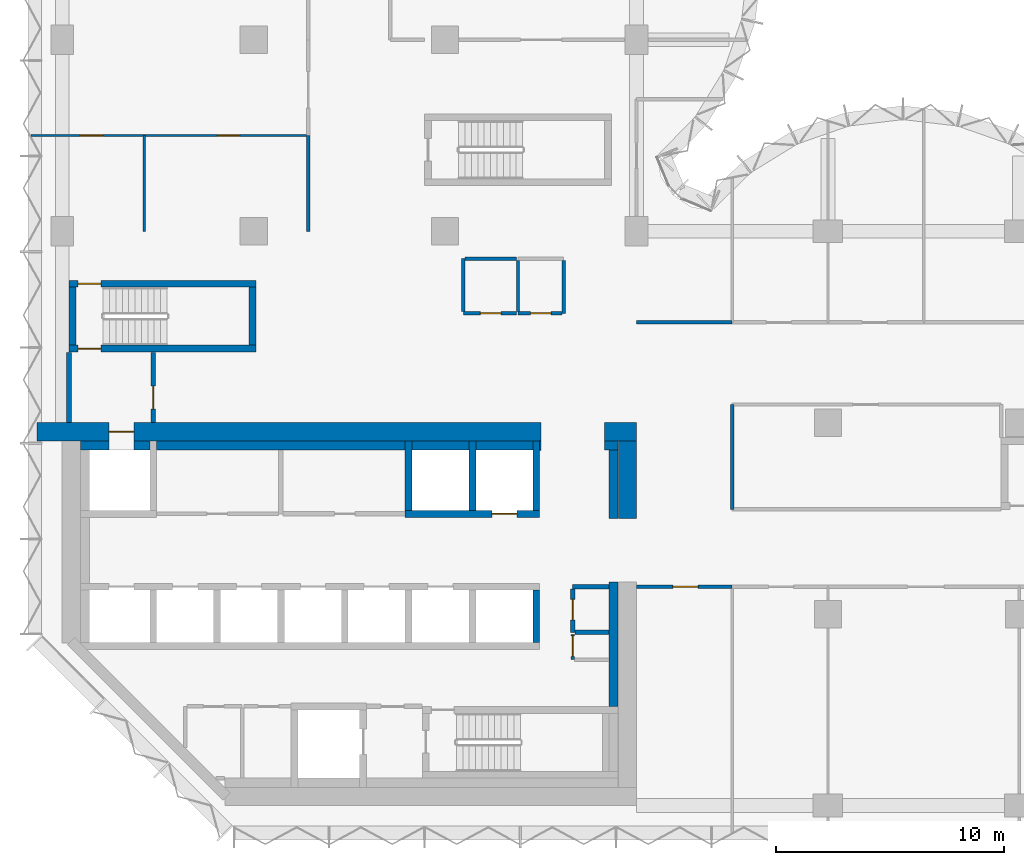
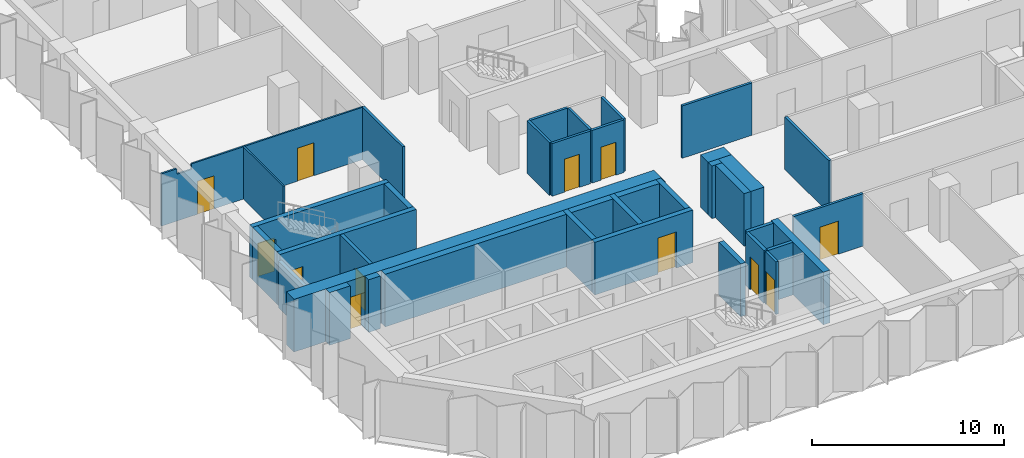
# One storey, part 8 of 13: 40 walls, 12 doors, 12 openings.
"""IFC4 building model written with IfcOpenShell, lengths in metres."""

from ifc_helpers import new_model, si_unit, direction, frame, frame_2d, origin, place, context, subcontext, project, spatial, polyline, rectangle, outline, extrude, material, layer, layer_set, type_object, element, fill, save


model = new_model("IFC4")

# Units and contexts
model_context = context("Model", 3, precision=1e-05, world=origin(), true_north=direction((0.0, 1.0)))
body_context = subcontext(model_context, "Body", "Model", "MODEL_VIEW")
ifc_project = project(units=[si_unit("LENGTHUNIT", "METRE"), si_unit("AREAUNIT", "SQUARE_METRE"), si_unit("VOLUMEUNIT", "CUBIC_METRE"), si_unit("PLANEANGLEUNIT", "RADIAN"), si_unit("MASSUNIT", "GRAM", prefix="KILO")], contexts=[model_context])

# Site, building, storey
site_placement = place(None, origin())
site = spatial("IfcSite", under=ifc_project, at=site_placement, CompositionType="ELEMENT")
building_placement = place(site_placement, origin())
building = spatial("IfcBuilding", under=site, at=building_placement, Name="Brevane Broadcast Tower", CompositionType="ELEMENT")
storey_placement = place(building_placement, frame((0.0, 0.0, 120.5)))
storey = spatial("IfcBuildingStorey", under=building, at=storey_placement, Name="L29", CompositionType="ELEMENT", Elevation=120.5)

# Walls
ifc_material_1 = material(Name="Concrete C32/40", Category="concrete")
ifc_layer_1 = layer(ifc_material_1, 0.39990234375)
ifc_layer_set_1 = layer_set([ifc_layer_1], Name="Core chase wall 400 mm")
wall_type_1 = type_object("IfcWallType", Name="Core chase wall 400 mm", PredefinedType="PARTITIONING", material=ifc_layer_set_1)
wall_1_placement = place(storey_placement, frame((24.199951171875, 12.60009765625, 0.0), z_axis=(0.0, 0.0, 1.0), x_axis=(0.0, 1.0, 0.0)))
element("IfcWall", 1, at=wall_1_placement, inside=storey, type_object=wall_type_1, Name="L29 chase wall LE2", PredefinedType="PARTITIONING", context=body_context, shape_type="SweptSolid", body=[
    extrude(rectangle(XDim=3.0, YDim=0.39990234375, at=frame_2d((1.5, 0.0))), origin(), (0.0, 0.0, 1.0), 3.35009765625),
])
wall_2_placement = place(storey_placement, frame((0.800048828125, 15.800048828125, 0.0), z_axis=(0.0, 0.0, 1.0), x_axis=(1.0, 0.0, 0.0)))
element("IfcWall", 2, at=wall_2_placement, inside=storey, type_object=wall_type_1, Name="L29 chase wall LN0", PredefinedType="PARTITIONING", context=body_context, shape_type="SweptSolid", body=[
    extrude(rectangle(XDim=1.25, YDim=0.39990234375, at=frame_2d((0.625, 0.0))), origin(), (0.0, 0.0, 1.0), 3.35009765625),
])
wall_3_placement = place(storey_placement, frame((23.800048828125, 15.800048828125, 0.0), z_axis=(0.0, 0.0, 1.0), x_axis=(1.0, 0.0, 0.0)))
element("IfcWall", 3, at=wall_3_placement, inside=storey, type_object=wall_type_1, Name="L29 chase wall LN2", PredefinedType="PARTITIONING", context=body_context, shape_type="SweptSolid", body=[
    extrude(rectangle(XDim=0.599853515625, YDim=0.39990234375, at=frame_2d((0.2998046875, 0.0))), origin(), (0.0, 0.0, 1.0), 3.35009765625),
])
wall_4_placement = place(storey_placement, frame((3.14990234375, 15.800048828125, 0.0), z_axis=(0.0, 0.0, 1.0), x_axis=(1.0, 0.0, 0.0)))
element("IfcWall", 4, at=wall_4_placement, inside=storey, type_object=wall_type_1, Name="L29 chase wall LN1-1", PredefinedType="PARTITIONING", context=body_context, shape_type="SweptSolid", body=[
    extrude(rectangle(XDim=0.7001953125, YDim=0.39990234375, at=frame_2d((0.35009765625, 0.0))), origin(), (0.0, 0.0, 1.0), 3.35009765625),
])
wall_5_placement = place(storey_placement, frame((4.14990234375, 15.800048828125, 0.0), z_axis=(0.0, 0.0, 1.0), x_axis=(1.0, 0.0, 0.0)))
element("IfcWall", 5, at=wall_5_placement, inside=storey, type_object=wall_type_1, Name="L29 chase wall LN1-2-1", PredefinedType="PARTITIONING", context=body_context, shape_type="SweptSolid", body=[
    extrude(rectangle(XDim=10.900146484375, YDim=0.39990234375, at=frame_2d((5.4501953125, 0.0))), origin(), (0.0, 0.0, 1.0), 3.35009765625),
])
for number, where, z_axis, x_axis, name in (
    (6, (15.35009765625, 15.800048828125, 0.0), (0.0, 0.0, 1.0), (1.0, 0.0, 0.0), "L29 chase wall LN1-2-2-1"),
    (7, (18.14990234375, 15.800048828125, 0.0), (0.0, 0.0, 1.0), (1.0, 0.0, 0.0), "L29 chase wall LN1-2-2-2-1"),
):
    element("IfcWall", number, at=place(storey_placement, frame(where, z_axis=z_axis, x_axis=x_axis)), inside=storey, type_object=wall_type_1, Name=name, PredefinedType="PARTITIONING", context=body_context, shape_type="SweptSolid", body=[
        extrude(rectangle(XDim=2.5, YDim=0.39990234375, at=frame_2d((1.25, 0.0))), origin(), (0.0, 0.0, 1.0), 3.35009765625),
    ])
wall_6_placement = place(storey_placement, frame((20.949951171875, 15.800048828125, 0.0), z_axis=(0.0, 0.0, 1.0), x_axis=(1.0, 0.0, 0.0)))
element("IfcWall", 8, at=wall_6_placement, inside=storey, type_object=wall_type_1, Name="L29 chase wall LN1-2-2-2-2", PredefinedType="PARTITIONING", context=body_context, shape_type="SweptSolid", body=[
    extrude(rectangle(XDim=0.050048828125, YDim=0.39990234375, at=frame_2d((0.02490234375, 0.0))), origin(), (0.0, 0.0, 1.0), 3.35009765625),
])
wall_7_placement = place(storey_placement, frame((24.199951171875, 4.35009765625, 0.0), z_axis=(0.0, 0.0, 1.0), x_axis=(0.0, 1.0, 0.0)))
element("IfcWall", 9, at=wall_7_placement, inside=storey, type_object=wall_type_1, Name="L29 chase wall LE1-2-2", PredefinedType="PARTITIONING", context=body_context, shape_type="SweptSolid", body=[
    extrude(rectangle(XDim=5.449951171875, YDim=0.39990234375, at=frame_2d((2.72509765625, 0.0))), origin(), (0.0, 0.0, 1.0), 3.35009765625),
])
ifc_material_2 = material(Name="Gypsum board on steel studs", Category="steel")
ifc_layer_2 = layer(ifc_material_2, 0.14990234375)
ifc_layer_set_2 = layer_set([ifc_layer_2], Name="Core fire partition 150 mm")
wall_type_2 = type_object("IfcWallType", Name="Core fire partition 150 mm", PredefinedType="PARTITIONING", material=ifc_layer_set_2)
wall_8_placement = place(storey_placement, frame((22.0, 23.925048828125, 0.0), z_axis=(0.0, 0.0, 1.0), x_axis=(0.0, -1.0, 0.0)))
element("IfcWall", 10, at=wall_8_placement, inside=storey, type_object=wall_type_2, Name="L29 partition wall P16", PredefinedType="PARTITIONING", context=body_context, shape_type="SweptSolid", body=[
    extrude(rectangle(XDim=2.324951171875, YDim=0.14990234375, at=frame_2d((1.16259765625, 0.0))), origin(), (0.0, 0.0, 1.0), 3.35009765625),
])

# Wall, opening, door
wall_9_placement = place(storey_placement, frame((21.925048828125, 21.60009765625, 0.0), z_axis=(0.0, 0.0, 1.0), x_axis=(-1.0, 0.0, 0.0)))
wall_9 = element("IfcWall", 11, at=wall_9_placement, inside=storey, type_object=wall_type_2, Name="L29 partition wall P17", PredefinedType="PARTITIONING", context=body_context, shape_type="SweptSolid", body=[
    extrude(rectangle(XDim=1.925048828125, YDim=0.14990234375, at=frame_2d((0.96240234375, 0.0))), origin(), (0.0, 0.0, 1.0), 3.35009765625),
])
opening_1_placement = place(wall_9_placement, frame((0.47509765625, 0.0, 0.0)))
opening_1 = element("IfcOpeningElement", 12, at=opening_1_placement, cuts=wall_9, Name="Opening L29-K24", PredefinedType="OPENING", context=body_context, shape_type="SweptSolid", body=[
    extrude(rectangle(XDim=0.89990234375, YDim=2.10009765625, at=frame_2d((0.449951171875, 1.050048828125))), frame((0.0, 0.0849609375, 0.0), z_axis=(0.0, -1.0, 0.0), x_axis=(1.0, 0.0, 0.0)), (0.0, 0.0, 1.0), 0.169921875),
])
ifc_material_3 = material(Name="Timber", Category="wood")
door_type_1 = type_object("IfcDoorType", Name="Toilet door 900 x 2100", OperationType="SINGLE_SWING_LEFT", PredefinedType="DOOR", material=ifc_material_3)
door_1_placement = place(opening_1_placement, origin())
door_1 = element("IfcDoor", 13, at=door_1_placement, inside=storey, type_object=door_type_1, Name="Door L29-K24", OperationType="SINGLE_SWING_LEFT", OverallHeight=2.10009765625, OverallWidth=0.89990234375, PredefinedType="DOOR", context=body_context, shape_type="SweptSolid", body=[
    extrude(rectangle(XDim=0.89990234375, YDim=2.10009765625, at=frame_2d((0.449951171875, 1.050048828125))), frame((0.0, 0.02490234375, 0.0), z_axis=(0.0, -1.0, 0.0), x_axis=(1.0, 0.0, 0.0)), (0.0, 0.0, 1.0), 0.050048828125),
])
fill(opening_1, door_1)

# Wall
wall_10_placement = place(storey_placement, frame((20.0, 21.675048828125, 0.0), z_axis=(0.0, 0.0, 1.0), x_axis=(0.0, 1.0, 0.0)))
element("IfcWall", 14, at=wall_10_placement, inside=storey, type_object=wall_type_2, Name="L29 partition wall P18", PredefinedType="PARTITIONING", context=body_context, shape_type="SweptSolid", body=[
    extrude(rectangle(XDim=2.25, YDim=0.14990234375, at=frame_2d((1.125, 0.0))), origin(), (0.0, 0.0, 1.0), 3.35009765625),
])

# Wall, opening, door
wall_11_placement = place(storey_placement, frame((19.925048828125, 21.60009765625, 0.0), z_axis=(0.0, 0.0, 1.0), x_axis=(-1.0, 0.0, 0.0)))
wall_11 = element("IfcWall", 15, at=wall_11_placement, inside=storey, type_object=wall_type_2, Name="L29 partition wall P19", PredefinedType="PARTITIONING", context=body_context, shape_type="SweptSolid", body=[
    extrude(rectangle(XDim=2.324951171875, YDim=0.14990234375, at=frame_2d((1.16259765625, 0.0))), origin(), (0.0, 0.0, 1.0), 3.35009765625),
])
opening_2_placement = place(wall_11_placement, frame((0.675048828125, 0.0, 0.0)))
opening_2 = element("IfcOpeningElement", 16, at=opening_2_placement, cuts=wall_11, Name="Opening L29-K25", PredefinedType="OPENING", context=body_context, shape_type="SweptSolid", body=[
    extrude(rectangle(XDim=0.89990234375, YDim=2.10009765625, at=frame_2d((0.449951171875, 1.050048828125))), frame((0.0, 0.0849609375, 0.0), z_axis=(0.0, -1.0, 0.0), x_axis=(1.0, 0.0, 0.0)), (0.0, 0.0, 1.0), 0.169921875),
])
ifc_material_4 = material(Name="Steel", Category="steel")
door_type_2 = type_object("IfcDoorType", Name="Service room door 900 x 2100", OperationType="SINGLE_SWING_LEFT", PredefinedType="DOOR", material=ifc_material_4)
door_2_placement = place(opening_2_placement, origin())
door_2 = element("IfcDoor", 17, at=door_2_placement, inside=storey, type_object=door_type_2, Name="Door L29-K25", OperationType="SINGLE_SWING_RIGHT", OverallHeight=2.10009765625, OverallWidth=0.89990234375, PredefinedType="DOOR", context=body_context, shape_type="SweptSolid", body=[
    extrude(rectangle(XDim=0.89990234375, YDim=2.10009765625, at=frame_2d((0.449951171875, 1.050048828125))), frame((0.0, 0.02490234375, 0.0), z_axis=(0.0, -1.0, 0.0), x_axis=(1.0, 0.0, 0.0)), (0.0, 0.0, 1.0), 0.050048828125),
])
fill(opening_2, door_2)

# Walls
wall_12_placement = place(storey_placement, frame((17.60009765625, 21.675048828125, 0.0), z_axis=(0.0, 0.0, 1.0), x_axis=(0.0, 1.0, 0.0)))
element("IfcWall", 18, at=wall_12_placement, inside=storey, type_object=wall_type_2, Name="L29 partition wall P20", PredefinedType="PARTITIONING", context=body_context, shape_type="SweptSolid", body=[
    extrude(rectangle(XDim=2.324951171875, YDim=0.14990234375, at=frame_2d((1.16259765625, 0.0))), origin(), (0.0, 0.0, 1.0), 3.35009765625),
])
wall_13_placement = place(storey_placement, frame((17.675048828125, 24.0, 0.0), z_axis=(0.0, 0.0, 1.0), x_axis=(1.0, 0.0, 0.0)))
element("IfcWall", 19, at=wall_13_placement, inside=storey, type_object=wall_type_2, Name="L29 partition wall P21", PredefinedType="PARTITIONING", context=body_context, shape_type="SweptSolid", body=[
    extrude(rectangle(XDim=2.25, YDim=0.14990234375, at=frame_2d((1.125, 0.0))), origin(), (0.0, 0.0, 1.0), 3.35009765625),
])

# Wall, opening, door
wall_14_placement = place(storey_placement, frame((22.39990234375, 7.5, 0.0), z_axis=(0.0, 0.0, 1.0), x_axis=(0.0, -1.0, 0.0)))
wall_14 = element("IfcWall", 20, at=wall_14_placement, inside=storey, type_object=wall_type_2, Name="L29 partition wall P22", PredefinedType="PARTITIONING", context=body_context, shape_type="SweptSolid", body=[
    extrude(rectangle(XDim=1.10009765625, YDim=0.14990234375, at=frame_2d((0.550048828125, 0.0))), origin(), (0.0, 0.0, 1.0), 3.35009765625),
])
opening_3_placement = place(wall_14_placement, frame((0.050048828125, 0.0, 0.0)))
opening_3 = element("IfcOpeningElement", 21, at=opening_3_placement, cuts=wall_14, Name="Opening L29-K19", PredefinedType="OPENING", context=body_context, shape_type="SweptSolid", body=[
    extrude(rectangle(XDim=0.89990234375, YDim=2.10009765625, at=frame_2d((0.449951171875, 1.050048828125))), frame((0.0, 0.0849609375, 0.0), z_axis=(0.0, -1.0, 0.0), x_axis=(1.0, 0.0, 0.0)), (0.0, 0.0, 1.0), 0.169921875),
])
door_3_placement = place(opening_3_placement, origin())
door_3 = element("IfcDoor", 22, at=door_3_placement, inside=storey, type_object=door_type_2, Name="Door L29-K19", OperationType="SINGLE_SWING_RIGHT", OverallHeight=2.10009765625, OverallWidth=0.89990234375, PredefinedType="DOOR", context=body_context, shape_type="SweptSolid", body=[
    extrude(rectangle(XDim=0.89990234375, YDim=2.10009765625, at=frame_2d((0.449951171875, 1.050048828125))), frame((0.0, 0.02490234375, 0.0), z_axis=(0.0, -1.0, 0.0), x_axis=(1.0, 0.0, 0.0)), (0.0, 0.0, 1.0), 0.050048828125),
])
fill(opening_3, door_3)

# Wall
ifc_layer_3 = layer(ifc_material_2, 0.199951171875)
ifc_layer_set_3 = layer_set([ifc_layer_3], Name="Core fire partition 200 mm")
wall_type_3 = type_object("IfcWallType", Name="Core fire partition 200 mm", PredefinedType="PARTITIONING", material=ifc_layer_set_3)
wall_15_placement = place(storey_placement, frame((0.300048828125, 16.81201171875, 0.0), z_axis=(0.0, 0.0, 1.0), x_axis=(0.0, 1.0, 0.0)))
element("IfcWall", 23, at=wall_15_placement, inside=storey, type_object=wall_type_3, Name="L29 partition wall P01", PredefinedType="PARTITIONING", context=body_context, shape_type="SweptSolid", body=[
    extrude(rectangle(XDim=3.075927734375, YDim=0.199951171875, at=frame_2d((1.5380859375, 0.0))), origin(), (0.0, 0.0, 1.0), 2.97998046875),
])

# Wall, opening, door
wall_16_placement = place(storey_placement, frame((4.0, 19.887939453125, 0.0), z_axis=(0.0, 0.0, 1.0), x_axis=(0.0, -1.0, 0.0)))
wall_16 = element("IfcWall", 24, at=wall_16_placement, inside=storey, type_object=wall_type_3, Name="L29 partition wall P02", PredefinedType="PARTITIONING", context=body_context, shape_type="SweptSolid", body=[
    extrude(rectangle(XDim=3.075927734375, YDim=0.199951171875, at=frame_2d((1.5380859375, 0.0))), origin(), (0.0, 0.0, 1.0), 3.35009765625),
])
opening_4_placement = place(wall_16_placement, frame((1.488037109375, 0.0, 0.0)))
opening_4 = element("IfcOpeningElement", 25, at=opening_4_placement, cuts=wall_16, Name="Opening L29-K23", PredefinedType="OPENING", context=body_context, shape_type="SweptSolid", body=[
    extrude(rectangle(XDim=1.0, YDim=2.10009765625, at=frame_2d((0.5, 1.050048828125))), frame((0.0, 0.10986328125, 0.0), z_axis=(0.0, -1.0, 0.0), x_axis=(1.0, 0.0, 0.0)), (0.0, 0.0, 1.0), 0.219970703125),
])
door_type_3 = type_object("IfcDoorType", Name="Stair door 1000 x 2100", OperationType="SINGLE_SWING_LEFT", PredefinedType="DOOR", material=ifc_material_4)
door_4_placement = place(opening_4_placement, origin())
door_4 = element("IfcDoor", 26, at=door_4_placement, inside=storey, type_object=door_type_3, Name="Door L29-K23", OperationType="SINGLE_SWING_RIGHT", OverallHeight=2.10009765625, OverallWidth=1.0, PredefinedType="DOOR", context=body_context, shape_type="SweptSolid", body=[
    extrude(rectangle(XDim=1.0, YDim=2.10009765625, at=frame_2d((0.5, 1.050048828125))), frame((0.0, 0.02490234375, 0.0), z_axis=(0.0, -1.0, 0.0), x_axis=(1.0, 0.0, 0.0)), (0.0, 0.0, 1.0), 0.050048828125),
])
fill(opening_4, door_4)

# Wall
wall_17_placement = place(storey_placement, frame((23.988037109375, 9.60009765625, 0.0), z_axis=(0.0, 0.0, 1.0), x_axis=(-1.0, 0.0, 0.0)))
element("IfcWall", 27, at=wall_17_placement, inside=storey, type_object=wall_type_3, Name="L29 partition wall P06", PredefinedType="PARTITIONING", context=body_context, shape_type="SweptSolid", body=[
    extrude(rectangle(XDim=1.588134765625, YDim=0.199951171875, at=frame_2d((0.7939453125, 0.0))), origin(), (0.0, 0.0, 1.0), 3.35009765625),
])

# Wall, opening, door
wall_18_placement = place(storey_placement, frame((22.39990234375, 9.5, 0.0), z_axis=(0.0, 0.0, 1.0), x_axis=(0.0, -1.0, 0.0)))
wall_18 = element("IfcWall", 28, at=wall_18_placement, inside=storey, type_object=wall_type_3, Name="L29 partition wall P07", PredefinedType="PARTITIONING", context=body_context, shape_type="SweptSolid", body=[
    extrude(rectangle(XDim=1.89990234375, YDim=0.199951171875, at=frame_2d((0.949951171875, 0.0))), origin(), (0.0, 0.0, 1.0), 3.35009765625),
])
opening_5_placement = place(wall_18_placement, frame((0.449951171875, 0.0, 0.0)))
opening_5 = element("IfcOpeningElement", 29, at=opening_5_placement, cuts=wall_18, Name="Opening L29-K20", PredefinedType="OPENING", context=body_context, shape_type="SweptSolid", body=[
    extrude(rectangle(XDim=0.89990234375, YDim=2.10009765625, at=frame_2d((0.449951171875, 1.050048828125))), frame((0.0, 0.10986328125, 0.0), z_axis=(0.0, -1.0, 0.0), x_axis=(1.0, 0.0, 0.0)), (0.0, 0.0, 1.0), 0.219970703125),
])
door_5_placement = place(opening_5_placement, origin())
door_5 = element("IfcDoor", 30, at=door_5_placement, inside=storey, type_object=door_type_2, Name="Door L29-K20", OperationType="SINGLE_SWING_LEFT", OverallHeight=2.10009765625, OverallWidth=0.89990234375, PredefinedType="DOOR", context=body_context, shape_type="SweptSolid", body=[
    extrude(rectangle(XDim=0.89990234375, YDim=2.10009765625, at=frame_2d((0.449951171875, 1.050048828125))), frame((0.0, 0.02490234375, 0.0), z_axis=(0.0, -1.0, 0.0), x_axis=(1.0, 0.0, 0.0)), (0.0, 0.0, 1.0), 0.050048828125),
])
fill(opening_5, door_5)

# Walls
wall_19_placement = place(storey_placement, frame((22.5, 7.60009765625, 0.0), z_axis=(0.0, 0.0, 1.0), x_axis=(1.0, 0.0, 0.0)))
element("IfcWall", 31, at=wall_19_placement, inside=storey, type_object=wall_type_3, Name="L29 partition wall P08", PredefinedType="PARTITIONING", context=body_context, shape_type="SweptSolid", body=[
    extrude(rectangle(XDim=1.488037109375, YDim=0.199951171875, at=frame_2d((0.744140625, 0.0))), origin(), (0.0, 0.0, 1.0), 3.35009765625),
])
ifc_material_5 = material(Name="Concrete C60/75", Category="concrete")
ifc_layer_4 = layer(ifc_material_5, 0.300048828125)
ifc_layer_set_4 = layer_set([ifc_layer_4], Name="Core wall 300 mm C60/75")
wall_type_4 = type_object("IfcWallType", Name="Core wall 300 mm C60/75", PredefinedType="SHEAR", material=ifc_layer_set_4)
wall_20_placement = place(storey_placement, frame((20.800048828125, 7.14990234375, 0.0), z_axis=(0.0, 0.0, 1.0), x_axis=(0.0, 1.0, 0.0)))
element("IfcWall", 32, at=wall_20_placement, inside=storey, type_object=wall_type_4, Name="L29 shaft wall SH-S-P208", PredefinedType="SHEAR", context=body_context, shape_type="SweptSolid", body=[
    extrude(rectangle(XDim=2.300048828125, YDim=0.300048828125, at=frame_2d((1.14990234375, 0.0))), origin(), (0.0, 0.0, 1.0), 3.35009765625),
])

# Wall, opening, door
wall_21_placement = place(storey_placement, frame((15.050048828125, 12.800048828125, 0.0), z_axis=(0.0, 0.0, 1.0), x_axis=(1.0, 0.0, 0.0)))
wall_21 = element("IfcWall", 33, at=wall_21_placement, inside=storey, type_object=wall_type_4, Name="L29 shaft wall SH-N152-front", PredefinedType="SHEAR", context=body_context, shape_type="SweptSolid", body=[
    extrude(rectangle(XDim=5.89990234375, YDim=0.300048828125, at=frame_2d((2.949951171875, 0.0))), origin(), (0.0, 0.0, 1.0), 3.35009765625),
])
opening_6_placement = place(wall_21_placement, frame((3.800048828125, 0.0, 0.0)))
opening_6 = element("IfcOpeningElement", 34, at=opening_6_placement, cuts=wall_21, Name="Opening LD", PredefinedType="OPENING", context=body_context, shape_type="SweptSolid", body=[
    extrude(rectangle(XDim=1.10009765625, YDim=2.300048828125, at=frame_2d((0.550048828125, 1.14990234375))), frame((0.0, 0.159912109375, 0.0), z_axis=(0.0, -1.0, 0.0), x_axis=(1.0, 0.0, 0.0)), (0.0, 0.0, 1.0), 0.320068359375),
])
ifc_material_6 = material(Name="Stainless steel", Category="steel")
door_type_4 = type_object("IfcDoorType", Name="Lift landing door", OperationType="SLIDING_TO_LEFT", PredefinedType="DOOR", material=ifc_material_6)
door_6_placement = place(opening_6_placement, origin())
door_6 = element("IfcDoor", 35, at=door_6_placement, inside=storey, type_object=door_type_4, Name="Landing door SL1 L29", OperationType="SLIDING_TO_LEFT", OverallHeight=2.300048828125, OverallWidth=1.10009765625, PredefinedType="DOOR", context=body_context, shape_type="SweptSolid", body=[
    extrude(rectangle(XDim=1.10009765625, YDim=2.300048828125, at=frame_2d((0.550048828125, 1.14990234375))), frame((0.0, 0.02490234375, 0.0), z_axis=(0.0, -1.0, 0.0), x_axis=(1.0, 0.0, 0.0)), (0.0, 0.0, 1.0), 0.050048828125),
])
fill(opening_6, door_6)

# Walls
for number, where, z_axis, x_axis, name in (
    (36, (15.199951171875, 12.949951171875, 0.0), (0.0, 0.0, 1.0), (0.0, 1.0, 0.0), "L29 shaft wall SH-N-P152"),
    (37, (18.0, 12.949951171875, 0.0), (0.0, 0.0, 1.0), (0.0, 1.0, 0.0), "L29 shaft wall SH-N-P180"),
    (38, (20.800048828125, 12.949951171875, 0.0), (0.0, 0.0, 1.0), (0.0, 1.0, 0.0), "L29 shaft wall SH-N-P208"),
):
    element("IfcWall", number, at=place(storey_placement, frame(where, z_axis=z_axis, x_axis=x_axis)), inside=storey, type_object=wall_type_4, Name=name, PredefinedType="SHEAR", context=body_context, shape_type="SweptSolid", body=[
        extrude(rectangle(XDim=3.050048828125, YDim=0.300048828125, at=frame_2d((1.52490234375, 0.0))), origin(), (0.0, 0.0, 1.0), 3.35009765625),
    ])

# Wall, opening, door
wall_22_placement = place(storey_placement, frame((8.5, 20.050048828125, 0.0), z_axis=(0.0, 0.0, 1.0), x_axis=(-1.0, 0.0, 0.0)))
wall_22 = element("IfcWall", 39, at=wall_22_placement, inside=storey, type_object=wall_type_4, Name="L29 stair wall ST-1-S", PredefinedType="SHEAR", context=body_context, shape_type="SweptSolid", body=[
    extrude(rectangle(XDim=8.199951171875, YDim=0.300048828125, at=frame_2d((4.10009765625, 0.0))), origin(), (0.0, 0.0, 1.0), 3.35009765625),
])
opening_7_placement = place(wall_22_placement, frame((6.800048828125, 0.0, 0.0)))
opening_7 = element("IfcOpeningElement", 40, at=opening_7_placement, cuts=wall_22, Name="Opening L29-K10", PredefinedType="OPENING", context=body_context, shape_type="SweptSolid", body=[
    extrude(rectangle(XDim=1.0, YDim=2.10009765625, at=frame_2d((0.5, 1.050048828125))), frame((0.0, 0.159912109375, 0.0), z_axis=(0.0, -1.0, 0.0), x_axis=(1.0, 0.0, 0.0)), (0.0, 0.0, 1.0), 0.320068359375),
])
door_7_placement = place(opening_7_placement, origin())
door_7 = element("IfcDoor", 41, at=door_7_placement, inside=storey, type_object=door_type_3, Name="Door L29-K10", OperationType="SINGLE_SWING_LEFT", OverallHeight=2.10009765625, OverallWidth=1.0, PredefinedType="DOOR", context=body_context, shape_type="SweptSolid", body=[
    extrude(rectangle(XDim=1.0, YDim=2.10009765625, at=frame_2d((0.5, 1.050048828125))), frame((0.0, 0.02490234375, 0.0), z_axis=(0.0, -1.0, 0.0), x_axis=(1.0, 0.0, 0.0)), (0.0, 0.0, 1.0), 0.050048828125),
])
fill(opening_7, door_7)

wall_23_placement = place(storey_placement, frame((0.300048828125, 22.89990234375, 0.0), z_axis=(0.0, 0.0, 1.0), x_axis=(1.0, 0.0, 0.0)))
wall_23 = element("IfcWall", 42, at=wall_23_placement, inside=storey, type_object=wall_type_4, Name="L29 stair wall ST-1-N", PredefinedType="SHEAR", context=body_context, shape_type="SweptSolid", body=[
    extrude(rectangle(XDim=8.199951171875, YDim=0.300048828125, at=frame_2d((4.10009765625, 0.0))), origin(), (0.0, 0.0, 1.0), 3.35009765625),
])
opening_8_placement = place(wall_23_placement, frame((0.39990234375, 0.0, 0.0)))
opening_8 = element("IfcOpeningElement", 43, at=opening_8_placement, cuts=wall_23, Name="Opening L29-K11", PredefinedType="OPENING", context=body_context, shape_type="SweptSolid", body=[
    extrude(rectangle(XDim=1.0, YDim=2.10009765625, at=frame_2d((0.5, 1.050048828125))), frame((0.0, 0.159912109375, 0.0), z_axis=(0.0, -1.0, 0.0), x_axis=(1.0, 0.0, 0.0)), (0.0, 0.0, 1.0), 0.320068359375),
])
door_8_placement = place(opening_8_placement, origin())
door_8 = element("IfcDoor", 44, at=door_8_placement, inside=storey, type_object=door_type_3, Name="Door L29-K11", OperationType="SINGLE_SWING_RIGHT", OverallHeight=2.10009765625, OverallWidth=1.0, PredefinedType="DOOR", context=body_context, shape_type="SweptSolid", body=[
    extrude(rectangle(XDim=1.0, YDim=2.10009765625, at=frame_2d((0.5, 1.050048828125))), frame((0.0, 0.02490234375, 0.0), z_axis=(0.0, -1.0, 0.0), x_axis=(1.0, 0.0, 0.0)), (0.0, 0.0, 1.0), 0.050048828125),
])
fill(opening_8, door_8)

# Walls
for number, where, z_axis, x_axis, name in (
    (45, (0.449951171875, 20.199951171875, 0.0), (0.0, 0.0, 1.0), (0.0, 1.0, 0.0), "L29 stair wall ST-1-W"),
    (46, (8.35009765625, 20.199951171875, 0.0), (0.0, 0.0, 1.0), (0.0, 1.0, 0.0), "L29 stair wall ST-1-E"),
):
    element("IfcWall", number, at=place(storey_placement, frame(where, z_axis=z_axis, x_axis=x_axis)), inside=storey, type_object=wall_type_4, Name=name, PredefinedType="SHEAR", context=body_context, shape_type="SweptSolid", body=[
        extrude(rectangle(XDim=2.550048828125, YDim=0.300048828125, at=frame_2d((1.27490234375, 0.0))), origin(), (0.0, 0.0, 1.0), 3.35009765625),
    ])

# Wall, opening, door
ifc_layer_5 = layer(ifc_material_5, 0.800048828125)
ifc_layer_set_5 = layer_set([ifc_layer_5], Name="Core wall 800 mm C60/75")
wall_type_5 = type_object("IfcWallType", Name="Core wall 800 mm C60/75", PredefinedType="SHEAR", material=ifc_layer_set_5)
wall_24_placement = place(storey_placement, frame((-1.10009765625, 16.39990234375, 0.0), z_axis=(0.0, 0.0, 1.0), x_axis=(1.0, 0.0, 0.0)))
wall_24 = element("IfcWall", 47, at=wall_24_placement, inside=storey, type_object=wall_type_5, Name="L29 outer wall WN1", PredefinedType="SHEAR", context=body_context, shape_type="SweptSolid", body=[
    extrude(rectangle(XDim=22.10009765625, YDim=0.800048828125, at=frame_2d((11.050048828125, 0.0))), origin(), (0.0, 0.0, 1.0), 3.35009765625),
])
opening_9_placement = place(wall_24_placement, frame((3.14990234375, 0.0, 0.0)))
opening_9 = element("IfcOpeningElement", 48, at=opening_9_placement, cuts=wall_24, Name="Opening LD", PredefinedType="OPENING", context=body_context, shape_type="SweptSolid", body=[
    extrude(rectangle(XDim=1.10009765625, YDim=2.300048828125, at=frame_2d((0.550048828125, 1.14990234375))), frame((0.0, 0.409912109375, 0.0), z_axis=(0.0, -1.0, 0.0), x_axis=(1.0, 0.0, 0.0)), (0.0, 0.0, 1.0), 0.820068359375),
])
door_9_placement = place(opening_9_placement, origin())
door_9 = element("IfcDoor", 49, at=door_9_placement, inside=storey, type_object=door_type_4, Name="Landing door FF1 L29", OperationType="SLIDING_TO_LEFT", OverallHeight=2.300048828125, OverallWidth=1.10009765625, PredefinedType="DOOR", context=body_context, shape_type="SweptSolid", body=[
    extrude(rectangle(XDim=1.10009765625, YDim=2.300048828125, at=frame_2d((0.550048828125, 1.14990234375))), frame((0.0, 0.02490234375, 0.0), z_axis=(0.0, -1.0, 0.0), x_axis=(1.0, 0.0, 0.0)), (0.0, 0.0, 1.0), 0.050048828125),
])
fill(opening_9, door_9)

# Walls
wall_25_placement = place(storey_placement, frame((23.800048828125, 16.39990234375, 0.0), z_axis=(0.0, 0.0, 1.0), x_axis=(1.0, 0.0, 0.0)))
element("IfcWall", 50, at=wall_25_placement, inside=storey, type_object=wall_type_5, Name="L29 outer wall WN2", PredefinedType="SHEAR", context=body_context, shape_type="SweptSolid", body=[
    extrude(rectangle(XDim=1.39990234375, YDim=0.800048828125, at=frame_2d((0.699951171875, 0.0))), origin(), (0.0, 0.0, 1.0), 3.35009765625),
])
wall_26_placement = place(storey_placement, frame((24.800048828125, 12.60009765625, 0.0), z_axis=(0.0, 0.0, 1.0), x_axis=(0.0, 1.0, 0.0)))
element("IfcWall", 51, at=wall_26_placement, inside=storey, type_object=wall_type_5, Name="L29 outer wall WE2", PredefinedType="SHEAR", context=body_context, shape_type="SweptSolid", body=[
    extrude(rectangle(XDim=3.39990234375, YDim=0.800048828125, at=frame_2d((1.699951171875, 0.0))), origin(), (0.0, 0.0, 1.0), 3.35009765625),
])

# Wall, opening, door
ifc_material_7 = material(Name="Gypsum board partition")
ifc_layer_6 = layer(ifc_material_7, 0.10009765625)
ifc_layer_set_6 = layer_set([ifc_layer_6], Name="PARTITION 100 STUD")
wall_type_6 = type_object("IfcWallType", Name="PARTITION 100 STUD", PredefinedType="PARTITIONING", material=ifc_layer_set_6)
wall_27_placement = place(storey_placement, frame((3.60009765625, 29.39990234375, 0.0), z_axis=(0.0, 0.0, 1.0), x_axis=(-1.0, 0.0, 0.0)))
wall_27 = element("IfcWall", 52, at=wall_27_placement, inside=storey, type_object=wall_type_6, Name="Partition G08-059", PredefinedType="PARTITIONING", context=body_context, shape_type="SweptSolid", body=[
    extrude(outline(polyline([(0.0, 0.0), (4.965087890625, 0.0), (4.965087890625, 3.330078125), (4.699951171875, 3.330078125), (4.050048828125, 3.330078125), (4.048095703125, 2.97998046875), (3.152099609375, 2.97998046875), (3.14990234375, 3.330078125), (0.0, 3.330078125), (0.0, 0.0)])), frame((0.0, 0.050048828125, 0.0), z_axis=(0.0, -1.0, 0.0), x_axis=(1.0, 0.0, 0.0)), (0.0, 0.0, 1.0), 0.10009765625),
])
opening_10_placement = place(wall_27_placement, frame((1.800048828125, 0.0, 0.0)))
opening_10 = element("IfcOpeningElement", 53, at=opening_10_placement, cuts=wall_27, Name="Opening D15-015", PredefinedType="OPENING", context=body_context, shape_type="SweptSolid", body=[
    extrude(rectangle(XDim=1.0, YDim=2.10009765625, at=frame_2d((0.5, 1.050048828125))), frame((0.0, 0.06005859375, 0.0), z_axis=(0.0, -1.0, 0.0), x_axis=(1.0, 0.0, 0.0)), (0.0, 0.0, 1.0), 0.1201171875),
])
ifc_material_8 = material(Name="Timber door leaf", Category="wood")
door_type_5 = type_object("IfcDoorType", Name="DOOR SINGLE 1000 INTERNAL", OperationType="SINGLE_SWING_LEFT", PredefinedType="DOOR", material=ifc_material_8)
door_10_placement = place(opening_10_placement, origin())
door_10 = element("IfcDoor", 54, at=door_10_placement, inside=storey, type_object=door_type_5, Name="Door D15-015", OperationType="SINGLE_SWING_LEFT", OverallHeight=2.10009765625, OverallWidth=1.0, PredefinedType="DOOR", context=body_context, shape_type="SweptSolid", body=[
    extrude(rectangle(XDim=1.0, YDim=2.10009765625, at=frame_2d((0.5, 1.050048828125))), frame((0.0, 0.02490234375, 0.0), z_axis=(0.0, -1.0, 0.0), x_axis=(1.0, 0.0, 0.0)), (0.0, 0.0, 1.0), 0.050048828125),
])
fill(opening_10, door_10)

wall_28_placement = place(storey_placement, frame((10.800048828125, 29.39990234375, 0.0), z_axis=(0.0, 0.0, 1.0), x_axis=(-1.0, 0.0, 0.0)))
wall_28 = element("IfcWall", 55, at=wall_28_placement, inside=storey, type_object=wall_type_6, Name="Partition G08-060", PredefinedType="PARTITIONING", context=body_context, shape_type="SweptSolid", body=[
    extrude(rectangle(XDim=7.199951171875, YDim=0.10009765625, at=frame_2d((3.60009765625, 0.0))), origin(), (0.0, 0.0, 1.0), 3.330078125),
])
opening_11_placement = place(wall_28_placement, frame((3.0, 0.0, 0.0)))
opening_11 = element("IfcOpeningElement", 56, at=opening_11_placement, cuts=wall_28, Name="Opening D15-016", PredefinedType="OPENING", context=body_context, shape_type="SweptSolid", body=[
    extrude(rectangle(XDim=1.0, YDim=2.10009765625, at=frame_2d((0.5, 1.050048828125))), frame((0.0, 0.06005859375, 0.0), z_axis=(0.0, -1.0, 0.0), x_axis=(1.0, 0.0, 0.0)), (0.0, 0.0, 1.0), 0.1201171875),
])
door_11_placement = place(opening_11_placement, origin())
door_11 = element("IfcDoor", 57, at=door_11_placement, inside=storey, type_object=door_type_5, Name="Door D15-016", OperationType="SINGLE_SWING_LEFT", OverallHeight=2.10009765625, OverallWidth=1.0, PredefinedType="DOOR", context=body_context, shape_type="SweptSolid", body=[
    extrude(rectangle(XDim=1.0, YDim=2.10009765625, at=frame_2d((0.5, 1.050048828125))), frame((0.0, 0.02490234375, 0.0), z_axis=(0.0, -1.0, 0.0), x_axis=(1.0, 0.0, 0.0)), (0.0, 0.0, 1.0), 0.050048828125),
])
fill(opening_11, door_11)

# Walls
wall_29_placement = place(storey_placement, frame((3.60009765625, 29.39990234375, 0.0), z_axis=(0.0, 0.0, 1.0), x_axis=(0.0, -1.0, 0.0)))
element("IfcWall", 58, at=wall_29_placement, inside=storey, type_object=wall_type_6, Name="Partition G08-062", PredefinedType="PARTITIONING", context=body_context, shape_type="SweptSolid", body=[
    extrude(rectangle(XDim=4.199951171875, YDim=0.10009765625, at=frame_2d((2.10009765625, 0.0))), origin(), (0.0, 0.0, 1.0), 3.330078125),
])
ifc_layer_7 = layer(ifc_material_7, 0.14990234375)
ifc_layer_set_7 = layer_set([ifc_layer_7], Name="PARTITION 150 EI 60")
wall_type_7 = type_object("IfcWallType", Name="PARTITION 150 EI 60", PredefinedType="PARTITIONING", material=ifc_layer_set_7)
wall_30_placement = place(storey_placement, frame((25.199951171875, 21.199951171875, 0.0), z_axis=(0.0, 0.0, 1.0), x_axis=(1.0, 0.0, 0.0)))
element("IfcWall", 59, at=wall_30_placement, inside=storey, type_object=wall_type_7, Name="Partition G08-001", PredefinedType="PARTITIONING", context=body_context, shape_type="SweptSolid", body=[
    extrude(rectangle(XDim=4.199951171875, YDim=0.14990234375, at=frame_2d((2.10009765625, 0.0))), origin(), (0.0, 0.0, 1.0), 3.330078125),
])
wall_31_placement = place(storey_placement, frame((29.39990234375, 17.60009765625, 0.0), z_axis=(0.0, 0.0, 1.0), x_axis=(0.0, -1.0, 0.0)))
element("IfcWall", 60, at=wall_31_placement, inside=storey, type_object=wall_type_7, Name="Partition G08-002", PredefinedType="PARTITIONING", context=body_context, shape_type="SweptSolid", body=[
    extrude(rectangle(XDim=4.60009765625, YDim=0.14990234375, at=frame_2d((2.300048828125, 0.0))), origin(), (0.0, 0.0, 1.0), 3.330078125),
])

# Wall, opening, door
wall_32_placement = place(storey_placement, frame((29.39990234375, 9.60009765625, 0.0), z_axis=(0.0, 0.0, 1.0), x_axis=(-1.0, 0.0, 0.0)))
wall_32 = element("IfcWall", 61, at=wall_32_placement, inside=storey, type_object=wall_type_7, Name="Partition G08-003", PredefinedType="PARTITIONING", context=body_context, shape_type="SweptSolid", body=[
    extrude(rectangle(XDim=4.199951171875, YDim=0.14990234375, at=frame_2d((2.10009765625, 0.0))), origin(), (0.0, 0.0, 1.0), 3.330078125),
])
opening_12_placement = place(wall_32_placement, frame((1.5, 0.0, 0.0)))
opening_12 = element("IfcOpeningElement", 62, at=opening_12_placement, cuts=wall_32, Name="Opening D15-005", PredefinedType="OPENING", context=body_context, shape_type="SweptSolid", body=[
    extrude(rectangle(XDim=1.10009765625, YDim=2.10009765625, at=frame_2d((0.550048828125, 1.050048828125))), frame((0.0, 0.0849609375, 0.0), z_axis=(0.0, -1.0, 0.0), x_axis=(1.0, 0.0, 0.0)), (0.0, 0.0, 1.0), 0.169921875),
])
ifc_material_9 = material(Name="Fire-rated timber door leaf", Category="wood")
door_type_6 = type_object("IfcDoorType", Name="DOOR SINGLE 1100 FD30S", OperationType="SINGLE_SWING_LEFT", PredefinedType="DOOR", material=ifc_material_9)
door_12_placement = place(opening_12_placement, origin())
door_12 = element("IfcDoor", 63, at=door_12_placement, inside=storey, type_object=door_type_6, Name="Door D15-005", OperationType="SINGLE_SWING_LEFT", OverallHeight=2.10009765625, OverallWidth=1.10009765625, PredefinedType="DOOR", context=body_context, shape_type="SweptSolid", body=[
    extrude(rectangle(XDim=1.10009765625, YDim=2.10009765625, at=frame_2d((0.550048828125, 1.050048828125))), frame((0.0, 0.02490234375, 0.0), z_axis=(0.0, -1.0, 0.0), x_axis=(1.0, 0.0, 0.0)), (0.0, 0.0, 1.0), 0.050048828125),
])
fill(opening_12, door_12)

# Wall
wall_33_placement = place(storey_placement, frame((10.800048828125, 25.199951171875, 0.0), z_axis=(0.0, 0.0, 1.0), x_axis=(0.0, 1.0, 0.0)))
element("IfcWall", 64, at=wall_33_placement, inside=storey, type_object=wall_type_7, Name="Partition G08-040", PredefinedType="PARTITIONING", context=body_context, shape_type="SweptSolid", body=[
    extrude(rectangle(XDim=4.199951171875, YDim=0.14990234375, at=frame_2d((2.10009765625, 0.0))), origin(), (0.0, 0.0, 1.0), 3.330078125),
])

save(model, "model.ifc")
